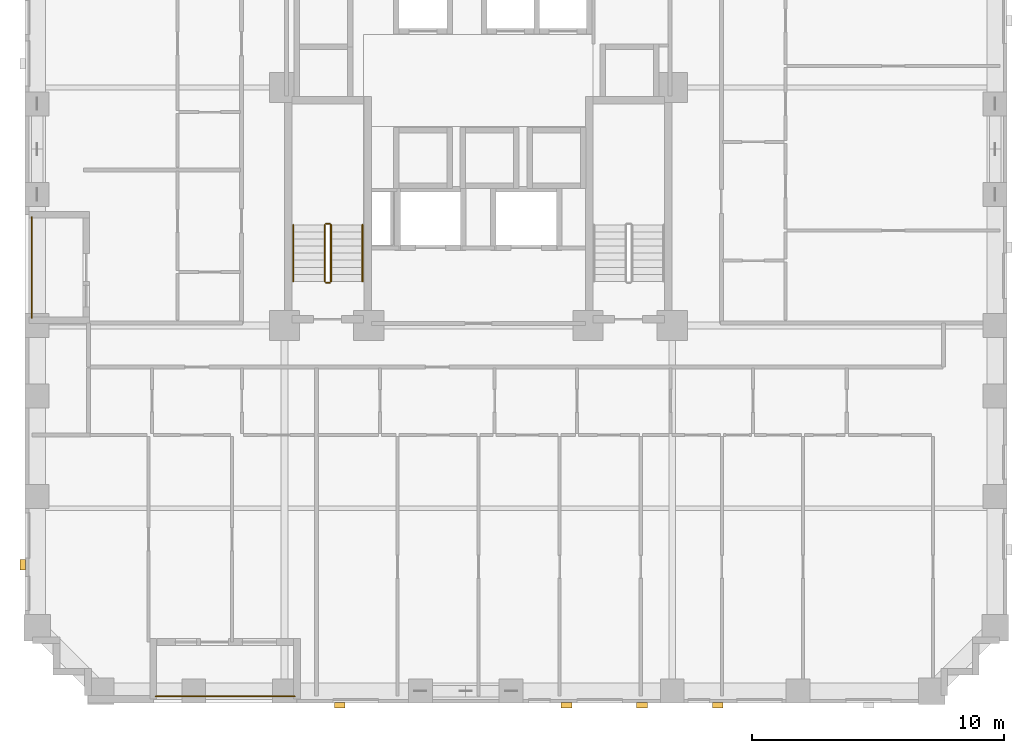
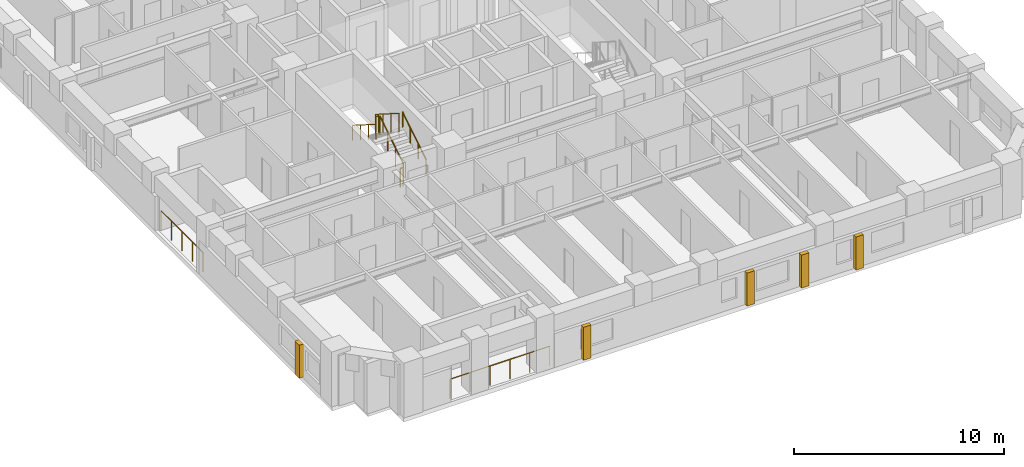
# One storey, part 12 of 14: 8 railings, 5 coverings.
"""IFC4 building model written with IfcOpenShell, lengths in metres."""

from ifc_helpers import new_model, si_unit, derived_unit, direction, frame, origin, origin_2d, place, context, subcontext, project, spatial, rectangle, circle, extrude, material, layer, layer_set, type_object, element, save


model = new_model("IFC4")

# Units and contexts
model_context = context("Model", 3, precision=1e-05, world=origin(), true_north=direction((0.0, 1.0)))
body_context = subcontext(model_context, "Body", "Model", "MODEL_VIEW")
ifc_project = project(units=[si_unit("LENGTHUNIT", "METRE"), si_unit("AREAUNIT", "SQUARE_METRE"), si_unit("VOLUMEUNIT", "CUBIC_METRE"), si_unit("PLANEANGLEUNIT", "RADIAN"), si_unit("MASSUNIT", "GRAM", prefix="KILO"), derived_unit("THERMALTRANSMITTANCEUNIT", [(si_unit("MASSUNIT", "GRAM", prefix="KILO"), 1), (si_unit("TIMEUNIT", "SECOND"), -3), (si_unit("THERMODYNAMICTEMPERATUREUNIT", "KELVIN"), -1)])], contexts=[model_context])

# Site, building, storey
site_placement = place(None, origin())
site = spatial("IfcSite", under=ifc_project, at=site_placement, CompositionType="ELEMENT")
building_placement = place(site_placement, origin())
building = spatial("IfcBuilding", under=site, at=building_placement, Name="Korrvale Station Residences", CompositionType="ELEMENT")
storey_placement = place(building_placement, frame((0.0, 0.0, 45.0)))
storey = spatial("IfcBuildingStorey", under=building, at=storey_placement, Name="L11", CompositionType="ELEMENT", Elevation=45.0)

# Coverings
ifc_material_1 = material(Name="Architectural precast concrete C45/55", Category="concrete")
ifc_layer = layer(ifc_material_1, 0.219970703125, Name="Architectural precast concrete C45/55")
ifc_layer_set = layer_set([ifc_layer], Name="Architectural precast concrete C45/55")
covering_type = type_object("IfcCoveringType", Name="COV-PIER-400", PredefinedType="CLADDING", material=ifc_layer_set)
for number, where, z_axis, x_axis, name in (
    (1, (35.0, -0.090087890625, 0.02490234375), (0.0, 0.0, 1.0), (1.0, 0.0, 0.0), "L11 Architectural Precast Facade Pier 02"),
    (2, (32.0, -0.090087890625, 0.02490234375), (0.0, 0.0, 1.0), (1.0, 0.0, 0.0), "L11 Architectural Precast Facade Pier 03"),
    (3, (29.0, -0.090087890625, 0.02490234375), (0.0, 0.0, 1.0), (1.0, 0.0, 0.0), "L11 Architectural Precast Facade Pier 04"),
    (4, (20.0, -0.090087890625, 0.02490234375), (0.0, 0.0, 1.0), (1.0, 0.0, 0.0), "L11 Architectural Precast Facade Pier 05"),
    (5, (7.409912109375, 5.5, 0.02490234375), (0.0, 0.0, 1.0), (0.0, 1.0, 0.0), "L11 Architectural Precast Facade Pier 12"),
):
    element("IfcCovering", number, at=place(storey_placement, frame(where, z_axis=z_axis, x_axis=x_axis)), inside=storey, type_object=covering_type, Name=name, PredefinedType="CLADDING", context=body_context, shape_type="SweptSolid", body=[
        extrude(rectangle(XDim=0.419921875, YDim=0.219970703125, at=origin_2d()), origin(), (0.0, 0.0, 1.0), 1.925048828125),
    ])

# Railings
ifc_material_2 = material(Name="Powder-coated aluminium picket loggia guard", Category="aluminium")
railing_type_1 = type_object("IfcRailingType", Name="RLG-BAL-1150", PredefinedType="GUARDRAIL", material=ifc_material_2)
railing_1_placement = place(storey_placement, frame((12.699951171875, 0.27001953125, 0.0)))
element("IfcRailing", 6, at=railing_1_placement, inside=storey, type_object=railing_type_1, Name="L11 Recessed Loggia Guardrail BAL-L11-S1", PredefinedType="GUARDRAIL", context=body_context, shape_type="SweptSolid", body=[
    extrude(circle(Radius=0.02392578125, at=origin_2d()), frame((0.0, 0.0, 1.1259765625), z_axis=(1.0, 0.0, 0.0), x_axis=(0.0, 1.0, 0.0)), (0.0, 0.0, 1.0), 5.5),
    extrude(circle(Radius=0.02099609375, at=origin_2d()), origin(), (0.0, 0.0, 1.0), 1.101806640625),
    extrude(circle(Radius=0.02099609375, at=origin_2d()), frame((1.10009765625, 0.0, 0.0)), (0.0, 0.0, 1.0), 1.101806640625),
    extrude(circle(Radius=0.02099609375, at=origin_2d()), frame((2.199951171875, 0.0, 0.0)), (0.0, 0.0, 1.0), 1.101806640625),
    extrude(circle(Radius=0.02099609375, at=origin_2d()), frame((3.300048828125, 0.0, 0.0)), (0.0, 0.0, 1.0), 1.101806640625),
    extrude(circle(Radius=0.02099609375, at=origin_2d()), frame((4.39990234375, 0.0, 0.0)), (0.0, 0.0, 1.0), 1.101806640625),
    extrude(circle(Radius=0.02099609375, at=origin_2d()), frame((5.5, 0.0, 0.0)), (0.0, 0.0, 1.0), 1.101806640625),
])
railing_2_placement = place(storey_placement, frame((7.77001953125, 15.300048828125, 0.0)))
element("IfcRailing", 7, at=railing_2_placement, inside=storey, type_object=railing_type_1, Name="L11 Recessed Loggia Guardrail BAL-L11-W1", PredefinedType="GUARDRAIL", context=body_context, shape_type="SweptSolid", body=[
    extrude(circle(Radius=0.02392578125, at=origin_2d()), frame((0.0, 0.0, 1.1259765625), z_axis=(0.0, 1.0, 0.0), x_axis=(-1.0, 0.0, 0.0)), (0.0, 0.0, 1.0), 4.0),
    extrude(circle(Radius=0.02099609375, at=origin_2d()), origin(), (0.0, 0.0, 1.0), 1.101806640625),
    extrude(circle(Radius=0.02099609375, at=origin_2d()), frame((0.0, 1.0, 0.0)), (0.0, 0.0, 1.0), 1.101806640625),
    extrude(circle(Radius=0.02099609375, at=origin_2d()), frame((0.0, 2.0, 0.0)), (0.0, 0.0, 1.0), 1.101806640625),
    extrude(circle(Radius=0.02099609375, at=origin_2d()), frame((0.0, 3.0, 0.0)), (0.0, 0.0, 1.0), 1.101806640625),
    extrude(circle(Radius=0.02099609375, at=origin_2d()), frame((0.0, 4.0, 0.0)), (0.0, 0.0, 1.0), 1.101806640625),
])
ifc_material_3 = material(Name="Brushed stainless-steel continuous stair handrail", Category="steel")
railing_type_2 = type_object("IfcRailingType", Name="RLG-SHND-900", PredefinedType="HANDRAIL", material=ifc_material_3)
railing_3_placement = place(storey_placement, frame((20.89990234375, 16.75, 0.177734375)))
element("IfcRailing", 8, at=railing_3_placement, inside=storey, type_object=railing_type_2, Name="L11 ST-1 stair handrail 1", PredefinedType="HANDRAIL", context=body_context, shape_type="SweptSolid", body=[
    extrude(circle(Radius=0.02392578125, at=origin_2d()), frame((0.0, 0.0, 0.8759765625), z_axis=(0.0, 0.84418770128, 0.536047689118), x_axis=(-1.0, 0.0, 0.0)), (0.0, 0.0, 1.0), 2.6533203125),
    extrude(circle(Radius=0.02099609375, at=origin_2d()), origin(), (0.0, 0.0, 1.0), 0.851806640625),
    extrude(circle(Radius=0.02099609375, at=origin_2d()), frame((0.0, 0.74658203125, 0.47412109375)), (0.0, 0.0, 1.0), 0.851806640625),
    extrude(circle(Radius=0.02099609375, at=origin_2d()), frame((0.0, 1.493408203125, 0.9482421875)), (0.0, 0.0, 1.0), 0.851806640625),
    extrude(circle(Radius=0.02099609375, at=origin_2d()), frame((0.0, 2.239990234375, 1.42236328125)), (0.0, 0.0, 1.0), 0.851806640625),
])
railing_4_placement = place(storey_placement, frame((18.14990234375, 18.989990234375, 1.77783203125)))
element("IfcRailing", 9, at=railing_4_placement, inside=storey, type_object=railing_type_2, Name="L11 ST-1 stair handrail 2", PredefinedType="HANDRAIL", context=body_context, shape_type="SweptSolid", body=[
    extrude(circle(Radius=0.02392578125, at=origin_2d()), frame((0.0, 0.0, 0.8759765625), z_axis=(0.0, -0.8442293374, 0.53598211339), x_axis=(1.0, 0.0, 0.0)), (0.0, 0.0, 1.0), 2.6533203125),
    extrude(circle(Radius=0.02099609375, at=origin_2d()), origin(), (0.0, 0.0, 1.0), 0.851806640625),
    extrude(circle(Radius=0.02099609375, at=origin_2d()), frame((0.0, -0.74658203125, 0.47412109375)), (0.0, 0.0, 1.0), 0.851806640625),
    extrude(circle(Radius=0.02099609375, at=origin_2d()), frame((0.0, -1.493408203125, 0.947998046875)), (0.0, 0.0, 1.0), 0.851806640625),
    extrude(circle(Radius=0.02099609375, at=origin_2d()), frame((0.0, -2.239990234375, 1.422119140625)), (0.0, 0.0, 1.0), 0.851806640625),
])
ifc_material_4 = material(Name="Galvanised painted tubular steel stair guard", Category="steel")
railing_type_3 = type_object("IfcRailingType", Name="RLG-STR-1100", PredefinedType="GUARDRAIL", material=ifc_material_4)
railing_5_placement = place(storey_placement, frame((19.64990234375, 16.75, 0.177734375)))
element("IfcRailing", 10, at=railing_5_placement, inside=storey, type_object=railing_type_3, Name="L11 ST-1 stair guard 1", PredefinedType="GUARDRAIL", context=body_context, shape_type="SweptSolid", body=[
    extrude(circle(Radius=0.02392578125, at=origin_2d()), frame((0.0, 0.0, 1.076171875), z_axis=(0.0, 0.84418770128, 0.536047689118), x_axis=(-1.0, 0.0, 0.0)), (0.0, 0.0, 1.0), 2.6533203125),
    extrude(circle(Radius=0.02099609375, at=origin_2d()), origin(), (0.0, 0.0, 1.0), 1.052001953125),
    extrude(circle(Radius=0.02099609375, at=origin_2d()), frame((0.0, 0.74658203125, 0.47412109375)), (0.0, 0.0, 1.0), 1.052001953125),
    extrude(circle(Radius=0.02099609375, at=origin_2d()), frame((0.0, 1.493408203125, 0.9482421875)), (0.0, 0.0, 1.0), 1.052001953125),
    extrude(circle(Radius=0.02099609375, at=origin_2d()), frame((0.0, 2.239990234375, 1.42236328125)), (0.0, 0.0, 1.0), 1.052001953125),
])
railing_6_placement = place(storey_placement, frame((19.60009765625, 19.0400390625, 1.60009765625)))
element("IfcRailing", 11, at=railing_6_placement, inside=storey, type_object=railing_type_3, Name="L11 ST-1 stair guard 2", PredefinedType="GUARDRAIL", context=body_context, shape_type="SweptSolid", body=[
    extrude(circle(Radius=0.02392578125, at=origin_2d()), frame((0.0, 0.0, 1.076171875), z_axis=(-1.0, 0.0, 0.0), x_axis=(0.0, -1.0, 0.0)), (0.0, 0.0, 1.0), 0.150146484375),
    extrude(circle(Radius=0.02099609375, at=origin_2d()), origin(), (0.0, 0.0, 1.0), 1.052001953125),
    extrude(circle(Radius=0.02099609375, at=origin_2d()), frame((-0.150146484375, 0.0, 0.0)), (0.0, 0.0, 1.0), 1.052001953125),
])
railing_7_placement = place(storey_placement, frame((19.39990234375, 18.989990234375, 1.77783203125)))
element("IfcRailing", 12, at=railing_7_placement, inside=storey, type_object=railing_type_3, Name="L11 ST-1 stair guard 3", PredefinedType="GUARDRAIL", context=body_context, shape_type="SweptSolid", body=[
    extrude(circle(Radius=0.02392578125, at=origin_2d()), frame((0.0, 0.0, 1.076171875), z_axis=(0.0, -0.8442293374, 0.53598211339), x_axis=(1.0, 0.0, 0.0)), (0.0, 0.0, 1.0), 2.6533203125),
    extrude(circle(Radius=0.02099609375, at=origin_2d()), origin(), (0.0, 0.0, 1.0), 1.052001953125),
    extrude(circle(Radius=0.02099609375, at=origin_2d()), frame((0.0, -0.74658203125, 0.47412109375)), (0.0, 0.0, 1.0), 1.052001953125),
    extrude(circle(Radius=0.02099609375, at=origin_2d()), frame((0.0, -1.493408203125, 0.947998046875)), (0.0, 0.0, 1.0), 1.052001953125),
    extrude(circle(Radius=0.02099609375, at=origin_2d()), frame((0.0, -2.239990234375, 1.422119140625)), (0.0, 0.0, 1.0), 1.052001953125),
])
railing_8_placement = place(storey_placement, frame((19.60009765625, 16.699951171875, 0.0)))
element("IfcRailing", 13, at=railing_8_placement, inside=storey, type_object=railing_type_3, Name="L11 ST-1 stair guard 4", PredefinedType="GUARDRAIL", context=body_context, shape_type="SweptSolid", body=[
    extrude(circle(Radius=0.02392578125, at=origin_2d()), frame((0.0, 0.0, 1.076171875), z_axis=(-1.0, 0.0, 0.0), x_axis=(0.0, -1.0, 0.0)), (0.0, 0.0, 1.0), 0.150146484375),
    extrude(circle(Radius=0.02099609375, at=origin_2d()), origin(), (0.0, 0.0, 1.0), 1.052001953125),
    extrude(circle(Radius=0.02099609375, at=origin_2d()), frame((-0.150146484375, 0.0, 0.0)), (0.0, 0.0, 1.0), 1.052001953125),
])

save(model, "model.ifc")
